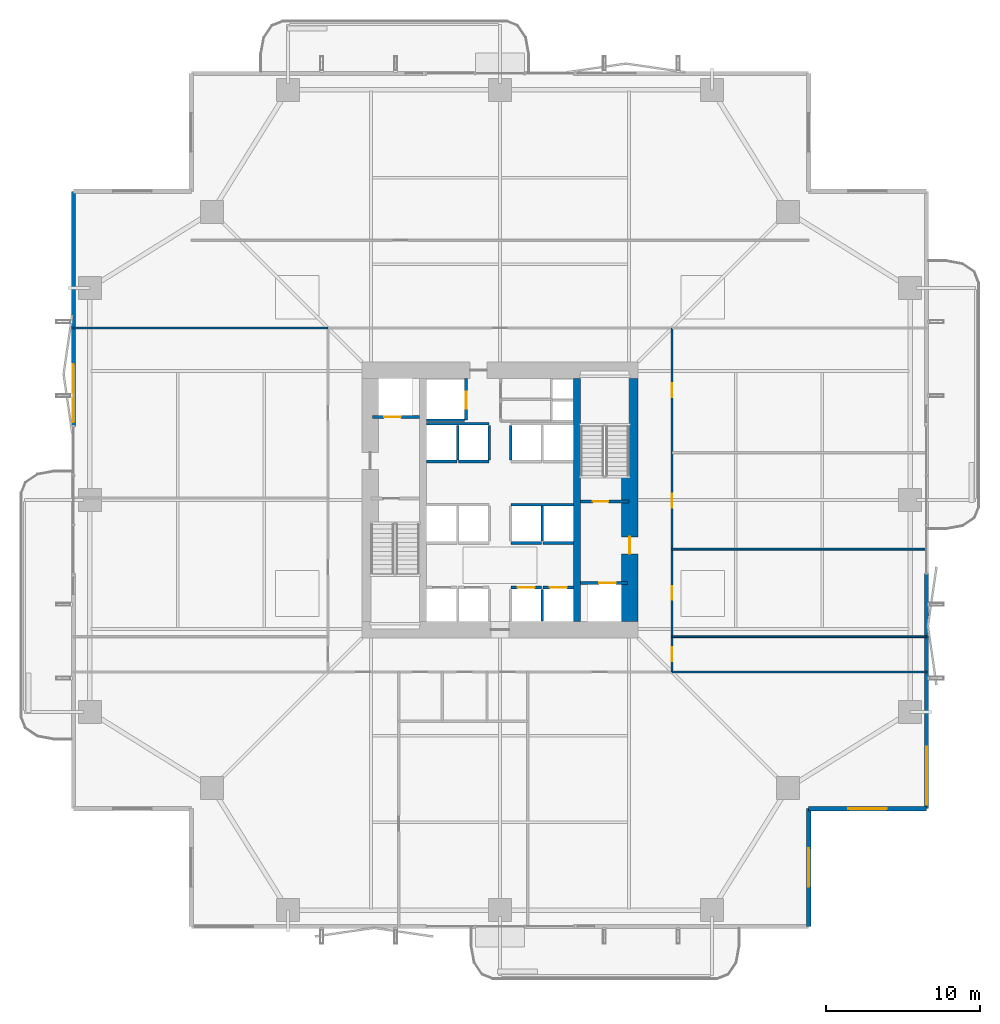
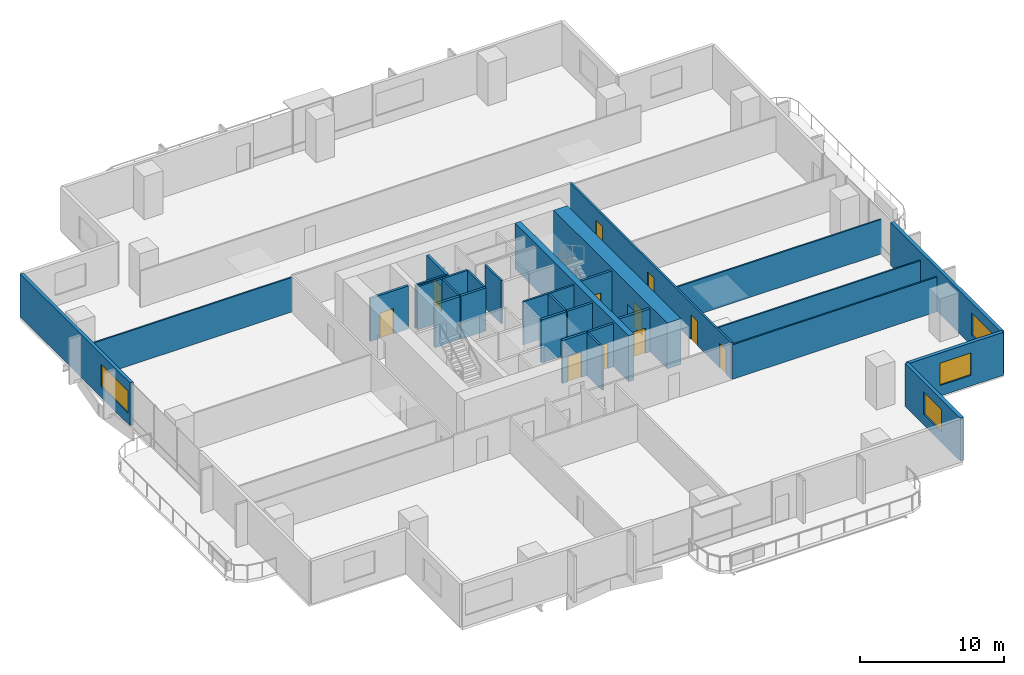
# One storey, part 18 of 24: 29 walls, 11 doors, 4 windows, 15 openings.
"""IFC4 building model written with IfcOpenShell, lengths in metres."""

from ifc_helpers import new_model, si_unit, direction, frame, frame_2d, origin, place, context, subcontext, project, spatial, rectangle, extrude, material, layer, layer_set, type_object, element, fill, save


model = new_model("IFC4")

# Units and contexts
model_context = context("Model", 3, precision=1e-05, world=origin(), true_north=direction((0.0, 1.0)))
body_context = subcontext(model_context, "Body", "Model", "MODEL_VIEW")
ifc_project = project(units=[si_unit("LENGTHUNIT", "METRE"), si_unit("AREAUNIT", "SQUARE_METRE"), si_unit("VOLUMEUNIT", "CUBIC_METRE"), si_unit("PLANEANGLEUNIT", "RADIAN"), si_unit("MASSUNIT", "GRAM", prefix="KILO")], contexts=[model_context])

# Site, building, storey
site_placement = place(None, origin())
site = spatial("IfcSite", under=ifc_project, at=site_placement, CompositionType="ELEMENT")
building_placement = place(site_placement, origin())
building = spatial("IfcBuilding", under=site, at=building_placement, Name="Belovzor Exchange Tower", CompositionType="ELEMENT")
storey_placement = place(building_placement, frame((0.0, 0.0, 92.39990234375)))
storey = spatial("IfcBuildingStorey", under=building, at=storey_placement, Name="L22", CompositionType="ELEMENT", Elevation=92.39990234375)

# Walls
ifc_material_1 = material(Name="Acoustic Plasterboard on Galvanised Studs", Category="gypsum")
ifc_layer_1 = layer(ifc_material_1, 0.1201171875)
ifc_layer_set_1 = layer_set([ifc_layer_1], Name="Acoustic Plasterboard on Galvanised Studs")
wall_type_1 = type_object("IfcWallType", Name="Acoustic Double-Stud Partition Wall 120", PredefinedType="PARTITIONING", material=ifc_layer_set_1)
for number, where, z_axis, x_axis, name in (
    (1, (40.0, 17.60009765625, 0.0), (0.0, 0.0, 1.0), (1.0, 0.0, 0.0), "W-P120 Partition Wall W-L22-END-SE"),
    (2, (1.030029296875, 40.0, 0.0), (0.0, 0.0, 1.0), (1.0, 0.0, 0.0), "W-P120 Partition Wall W-L22-END-NW"),
    (3, (40.0, 19.89990234375, 0.0), (0.0, 0.0, 1.0), (1.0, 0.0, 0.0), "W-P120 Partition Wall W-L22-EDIV-1"),
    (4, (40.0, 25.59912109375, 0.0), (0.0, 0.0, 1.0), (1.0, 0.0, 0.0), "W-P120 Partition Wall W-L22-EDIV-2"),
):
    element("IfcWall", number, at=place(storey_placement, frame(where, z_axis=z_axis, x_axis=x_axis)), inside=storey, type_object=wall_type_1, Name=name, PredefinedType="PARTITIONING", context=body_context, shape_type="SweptSolid", body=[
        extrude(rectangle(XDim=16.570068359375, YDim=0.1201171875, at=frame_2d((8.28515625, 0.0))), origin(), (0.0, 0.0, 1.0), 2.93505859375),
    ])

# Wall, openings, doors
ifc_material_2 = material(Name="Fire-Rated Gypsum Block and Mineral Wool", Category="gypsum")
ifc_layer_2 = layer(ifc_material_2, 0.14990234375)
ifc_layer_set_2 = layer_set([ifc_layer_2], Name="Fire-Rated Gypsum Block and Mineral Wool")
wall_type_2 = type_object("IfcWallType", Name="Fire-Rated Gypsum Block Corridor Wall 150", PredefinedType="PARTITIONING", material=ifc_layer_set_2)
wall_1_placement = place(storey_placement, frame((40.0, 17.60009765625, 0.0), z_axis=(0.0, 0.0, 1.0), x_axis=(0.0, 1.0, 0.0)))
wall_1 = element("IfcWall", 5, at=wall_1_placement, inside=storey, type_object=wall_type_2, Name="W-P150 Partition Wall W-L22-CE", PredefinedType="PARTITIONING", context=body_context, shape_type="SweptSolid", body=[
    extrude(rectangle(XDim=22.39990234375, YDim=0.14990234375, at=frame_2d((11.199951171875, 0.0))), origin(), (0.0, 0.0, 1.0), 3.085205078125),
])
opening_1_placement = place(wall_1_placement, frame((0.699951171875, 0.0, 0.0)))
opening_1 = element("IfcOpeningElement", 6, at=opening_1_placement, cuts=wall_1, Name="Opening D-INT-090", PredefinedType="OPENING", context=body_context, shape_type="SweptSolid", body=[
    extrude(rectangle(XDim=0.89990234375, YDim=2.10009765625, at=frame_2d((0.449951171875, 1.050048828125))), frame((0.0, 0.0849609375, 0.0), z_axis=(0.0, -1.0, 0.0), x_axis=(1.0, 0.0, 0.0)), (0.0, 0.0, 1.0), 0.169921875),
])
opening_2_placement = place(wall_1_placement, frame((4.698974609375, 0.0, 0.0)))
opening_2 = element("IfcOpeningElement", 7, at=opening_2_placement, cuts=wall_1, Name="Opening D-INT-090", PredefinedType="OPENING", context=body_context, shape_type="SweptSolid", body=[
    extrude(rectangle(XDim=0.89990234375, YDim=2.10009765625, at=frame_2d((0.449951171875, 1.050048828125))), frame((0.0, 0.0849609375, 0.0), z_axis=(0.0, -1.0, 0.0), x_axis=(1.0, 0.0, 0.0)), (0.0, 0.0, 1.0), 0.169921875),
])
opening_3_placement = place(wall_1_placement, frame((10.69189453125, 0.0, 0.0)))
opening_3 = element("IfcOpeningElement", 8, at=opening_3_placement, cuts=wall_1, Name="Opening D-INT-090", PredefinedType="OPENING", context=body_context, shape_type="SweptSolid", body=[
    extrude(rectangle(XDim=0.89990234375, YDim=2.10009765625, at=frame_2d((0.449951171875, 1.050048828125))), frame((0.0, 0.0849609375, 0.0), z_axis=(0.0, -1.0, 0.0), x_axis=(1.0, 0.0, 0.0)), (0.0, 0.0, 1.0), 0.169921875),
])
opening_4_placement = place(wall_1_placement, frame((17.89208984375, 0.0, 0.0)))
opening_4 = element("IfcOpeningElement", 9, at=opening_4_placement, cuts=wall_1, Name="Opening D-INT-090", PredefinedType="OPENING", context=body_context, shape_type="SweptSolid", body=[
    extrude(rectangle(XDim=0.89990234375, YDim=2.10009765625, at=frame_2d((0.449951171875, 1.050048828125))), frame((0.0, 0.0849609375, 0.0), z_axis=(0.0, -1.0, 0.0), x_axis=(1.0, 0.0, 0.0)), (0.0, 0.0, 1.0), 0.169921875),
])
ifc_material_3 = material(Name="Veneered Hardwood Acoustic Leaf", Category="wood")
door_type_1 = type_object("IfcDoorType", Name="Trading Suite Acoustic Single Door 900x2100", OperationType="NOTDEFINED", PredefinedType="DOOR", material=ifc_material_3)
door_1_placement = place(opening_1_placement, origin())
door_1 = element("IfcDoor", 10, at=door_1_placement, inside=storey, type_object=door_type_1, Name="D-INT-090 Trading Suite Acoustic Single Door 900x2100", OperationType="SINGLE_SWING_RIGHT", OverallHeight=2.10009765625, OverallWidth=0.89990234375, PredefinedType="DOOR", context=body_context, shape_type="SweptSolid", body=[
    extrude(rectangle(XDim=0.89990234375, YDim=2.10009765625, at=frame_2d((0.449951171875, 1.050048828125))), frame((0.0, 0.02490234375, 0.0), z_axis=(0.0, -1.0, 0.0), x_axis=(1.0, 0.0, 0.0)), (0.0, 0.0, 1.0), 0.050048828125),
])
fill(opening_1, door_1)
door_2_placement = place(opening_2_placement, origin())
door_2 = element("IfcDoor", 11, at=door_2_placement, inside=storey, type_object=door_type_1, Name="D-INT-090 Trading Suite Acoustic Single Door 900x2100", OperationType="SINGLE_SWING_LEFT", OverallHeight=2.10009765625, OverallWidth=0.89990234375, PredefinedType="DOOR", context=body_context, shape_type="SweptSolid", body=[
    extrude(rectangle(XDim=0.89990234375, YDim=2.10009765625, at=frame_2d((0.449951171875, 1.050048828125))), frame((0.0, 0.02490234375, 0.0), z_axis=(0.0, -1.0, 0.0), x_axis=(1.0, 0.0, 0.0)), (0.0, 0.0, 1.0), 0.050048828125),
])
fill(opening_2, door_2)
door_3_placement = place(opening_3_placement, origin())
door_3 = element("IfcDoor", 12, at=door_3_placement, inside=storey, type_object=door_type_1, Name="D-INT-090 Trading Suite Acoustic Single Door 900x2100", OperationType="SINGLE_SWING_RIGHT", OverallHeight=2.10009765625, OverallWidth=0.89990234375, PredefinedType="DOOR", context=body_context, shape_type="SweptSolid", body=[
    extrude(rectangle(XDim=0.89990234375, YDim=2.10009765625, at=frame_2d((0.449951171875, 1.050048828125))), frame((0.0, 0.02490234375, 0.0), z_axis=(0.0, -1.0, 0.0), x_axis=(1.0, 0.0, 0.0)), (0.0, 0.0, 1.0), 0.050048828125),
])
fill(opening_3, door_3)
door_4_placement = place(opening_4_placement, origin())
door_4 = element("IfcDoor", 13, at=door_4_placement, inside=storey, type_object=door_type_1, Name="D-INT-090 Trading Suite Acoustic Single Door 900x2100", OperationType="SINGLE_SWING_LEFT", OverallHeight=2.10009765625, OverallWidth=0.89990234375, PredefinedType="DOOR", context=body_context, shape_type="SweptSolid", body=[
    extrude(rectangle(XDim=0.89990234375, YDim=2.10009765625, at=frame_2d((0.449951171875, 1.050048828125))), frame((0.0, 0.02490234375, 0.0), z_axis=(0.0, -1.0, 0.0), x_axis=(1.0, 0.0, 0.0)), (0.0, 0.0, 1.0), 0.050048828125),
])
fill(opening_4, door_4)

# Wall, opening, window
ifc_material_4 = material(Name="Precast concrete C40/50", Category="concrete")
ifc_layer_3 = layer(ifc_material_4, 0.280029296875)
ifc_layer_set_3 = layer_set([ifc_layer_3], Name="Precast concrete C40/50")
wall_type_3 = type_object("IfcWallType", Name="Precast Concrete Notched Corner Frame Wall 280", PredefinedType="SOLIDWALL", material=ifc_layer_set_3)
wall_2_placement = place(storey_placement, frame((56.570068359375, 8.699951171875, 0.0), z_axis=(0.0, 0.0, 1.0), x_axis=(-1.0, 0.0, 0.0)))
wall_2 = element("IfcWall", 14, at=wall_2_placement, inside=storey, type_object=wall_type_3, Name="W-CRN280 Precast Concrete Notched Corner Frame Wall 280 L22", PredefinedType="SOLIDWALL", context=body_context, shape_type="SweptSolid", body=[
    extrude(rectangle(XDim=7.670166015625, YDim=0.280029296875, at=frame_2d((3.8349609375, 0.0))), origin(), (0.0, 0.0, 1.0), 3.650146484375),
])
opening_5_placement = place(wall_2_placement, frame((2.5849609375, 0.0, 0.89990234375)))
opening_5 = element("IfcOpeningElement", 15, at=opening_5_placement, cuts=wall_2, Name="Opening WN-CRN250", PredefinedType="OPENING", context=body_context, shape_type="SweptSolid", body=[
    extrude(rectangle(XDim=2.5, YDim=1.89990234375, at=frame_2d((1.25, 0.949951171875))), frame((0.0, 0.14990234375, 0.0), z_axis=(0.0, -1.0, 0.0), x_axis=(1.0, 0.0, 0.0)), (0.0, 0.0, 1.0), 0.300048828125),
])
ifc_material_5 = material(Name="Thermally Broken Aluminium and Triple Glazing", Category="aluminium")
window_type_1 = type_object("IfcWindowType", Name="Streamline Moderne Corner Wrap Ribbon Window 2500x1900", PartitioningType="SINGLE_PANEL", PredefinedType="WINDOW", material=ifc_material_5)
window_1_placement = place(opening_5_placement, origin())
window_1 = element("IfcWindow", 16, at=window_1_placement, inside=storey, type_object=window_type_1, Name="WN-CRN250 Streamline Moderne Corner Wrap Ribbon Window 2500x1900", OverallHeight=1.89990234375, OverallWidth=2.5, PartitioningType="SINGLE_PANEL", PredefinedType="WINDOW", context=body_context, shape_type="SweptSolid", body=[
    extrude(rectangle(XDim=2.5, YDim=1.89990234375, at=frame_2d((1.25, 0.949951171875))), frame((0.0, 0.030029296875, 0.0), z_axis=(0.0, -1.0, 0.0), x_axis=(1.0, 0.0, 0.0)), (0.0, 0.0, 1.0), 0.06005859375),
])
fill(opening_5, window_1)

wall_3_placement = place(storey_placement, frame((48.89990234375, 8.699951171875, 0.0), z_axis=(0.0, 0.0, 1.0), x_axis=(0.0, -1.0, 0.0)))
wall_3 = element("IfcWall", 17, at=wall_3_placement, inside=storey, type_object=wall_type_3, Name="W-CRN280 Precast Concrete Notched Corner Frame Wall 280 L22", PredefinedType="SOLIDWALL", context=body_context, shape_type="SweptSolid", body=[
    extrude(rectangle(XDim=7.669921875, YDim=0.280029296875, at=frame_2d((3.8349609375, 0.0))), origin(), (0.0, 0.0, 1.0), 3.650146484375),
])
opening_6_placement = place(wall_3_placement, frame((2.5849609375, 0.0, 0.89990234375)))
opening_6 = element("IfcOpeningElement", 18, at=opening_6_placement, cuts=wall_3, Name="Opening WN-CRN250", PredefinedType="OPENING", context=body_context, shape_type="SweptSolid", body=[
    extrude(rectangle(XDim=2.5, YDim=1.89990234375, at=frame_2d((1.25, 0.949951171875))), frame((0.0, 0.14990234375, 0.0), z_axis=(0.0, -1.0, 0.0), x_axis=(1.0, 0.0, 0.0)), (0.0, 0.0, 1.0), 0.300048828125),
])
window_2_placement = place(opening_6_placement, origin())
window_2 = element("IfcWindow", 19, at=window_2_placement, inside=storey, type_object=window_type_1, Name="WN-CRN250 Streamline Moderne Corner Wrap Ribbon Window 2500x1900", OverallHeight=1.89990234375, OverallWidth=2.5, PartitioningType="SINGLE_PANEL", PredefinedType="WINDOW", context=body_context, shape_type="SweptSolid", body=[
    extrude(rectangle(XDim=2.5, YDim=1.89990234375, at=frame_2d((1.25, 0.949951171875))), frame((0.0, 0.030029296875, 0.0), z_axis=(0.0, -1.0, 0.0), x_axis=(1.0, 0.0, 0.0)), (0.0, 0.0, 1.0), 0.06005859375),
])
fill(opening_6, window_2)

ifc_material_6 = material(Name="Precast concrete C40/50", Category="concrete")
ifc_layer_4 = layer(ifc_material_6, 0.260009765625)
ifc_layer_set_4 = layer_set([ifc_layer_4], Name="Precast concrete C40/50")
wall_type_4 = type_object("IfcWallType", Name="Precast Concrete Perimeter Loggia Frame Wall 260", PredefinedType="SOLIDWALL", material=ifc_layer_set_4)
wall_4_placement = place(storey_placement, frame((1.030029296875, 33.60009765625, 0.0), z_axis=(0.0, 0.0, 1.0), x_axis=(0.0, 1.0, 0.0)))
wall_4 = element("IfcWall", 20, at=wall_4_placement, inside=storey, type_object=wall_type_4, Name="W-EXT260 Precast Concrete Perimeter Loggia Frame Wall 260 L22", PredefinedType="SOLIDWALL", context=body_context, shape_type="SweptSolid", body=[
    extrude(rectangle(XDim=15.2998046875, YDim=0.260009765625, at=frame_2d((7.64990234375, 0.0))), origin(), (0.0, 0.0, 1.0), 3.650146484375),
])
opening_7_placement = place(wall_4_placement, frame((0.25, 0.0, 0.89990234375)))
opening_7 = element("IfcOpeningElement", 21, at=opening_7_placement, cuts=wall_4, Name="Opening WN-RIB380", PredefinedType="OPENING", context=body_context, shape_type="SweptSolid", body=[
    extrude(rectangle(XDim=3.800048828125, YDim=1.89990234375, at=frame_2d((1.89990234375, 0.949951171875))), frame((0.0, 0.139892578125, 0.0), z_axis=(0.0, -1.0, 0.0), x_axis=(1.0, 0.0, 0.0)), (0.0, 0.0, 1.0), 0.280029296875),
])
ifc_material_7 = material(Name="Thermally Broken Aluminium and Triple Glazing", Category="aluminium")
window_type_2 = type_object("IfcWindowType", Name="Streamline Moderne Horizontal Ribbon Window 3800x1900", PartitioningType="SINGLE_PANEL", PredefinedType="WINDOW", material=ifc_material_7)
window_3_placement = place(opening_7_placement, origin())
window_3 = element("IfcWindow", 22, at=window_3_placement, inside=storey, type_object=window_type_2, Name="WN-RIB380 Streamline Moderne Horizontal Ribbon Window 3800x1900", OverallHeight=1.89990234375, OverallWidth=3.800048828125, PartitioningType="SINGLE_PANEL", PredefinedType="WINDOW", context=body_context, shape_type="SweptSolid", body=[
    extrude(rectangle(XDim=3.800048828125, YDim=1.89990234375, at=frame_2d((1.89990234375, 0.949951171875))), frame((0.0, 0.030029296875, 0.0), z_axis=(0.0, -1.0, 0.0), x_axis=(1.0, 0.0, 0.0)), (0.0, 0.0, 1.0), 0.06005859375),
])
fill(opening_7, window_3)

wall_5_placement = place(storey_placement, frame((56.570068359375, 24.0, 0.0), z_axis=(0.0, 0.0, 1.0), x_axis=(0.0, -1.0, 0.0)))
wall_5 = element("IfcWall", 23, at=wall_5_placement, inside=storey, type_object=wall_type_4, Name="W-EXT260 Precast Concrete Perimeter Loggia Frame Wall 260 L22", PredefinedType="SOLIDWALL", context=body_context, shape_type="SweptSolid", body=[
    extrude(rectangle(XDim=15.300048828125, YDim=0.260009765625, at=frame_2d((7.64990234375, 0.0))), origin(), (0.0, 0.0, 1.0), 3.650146484375),
])
opening_8_placement = place(wall_5_placement, frame((11.25, 0.0, 0.89990234375)))
opening_8 = element("IfcOpeningElement", 24, at=opening_8_placement, cuts=wall_5, Name="Opening WN-RIB380", PredefinedType="OPENING", context=body_context, shape_type="SweptSolid", body=[
    extrude(rectangle(XDim=3.800048828125, YDim=1.89990234375, at=frame_2d((1.89990234375, 0.949951171875))), frame((0.0, 0.139892578125, 0.0), z_axis=(0.0, -1.0, 0.0), x_axis=(1.0, 0.0, 0.0)), (0.0, 0.0, 1.0), 0.280029296875),
])
window_4_placement = place(opening_8_placement, origin())
window_4 = element("IfcWindow", 25, at=window_4_placement, inside=storey, type_object=window_type_2, Name="WN-RIB380 Streamline Moderne Horizontal Ribbon Window 3800x1900", OverallHeight=1.89990234375, OverallWidth=3.800048828125, PartitioningType="SINGLE_PANEL", PredefinedType="WINDOW", context=body_context, shape_type="SweptSolid", body=[
    extrude(rectangle(XDim=3.800048828125, YDim=1.89990234375, at=frame_2d((1.89990234375, 0.949951171875))), frame((0.0, 0.030029296875, 0.0), z_axis=(0.0, -1.0, 0.0), x_axis=(1.0, 0.0, 0.0)), (0.0, 0.0, 1.0), 0.06005859375),
])
fill(opening_8, window_4)

# Walls
ifc_material_8 = material(Name="Concrete C50/60", Category="concrete")
ifc_layer_5 = layer(ifc_material_8, 0.449951171875)
ifc_layer_set_5 = layer_set([ifc_layer_5], Name="Concrete C50/60")
wall_type_5 = type_object("IfcWallType", Name="Reinforced Concrete Core Internal Web Wall 450", PredefinedType="SHEAR", material=ifc_layer_set_5)
wall_6_placement = place(storey_placement, frame((33.824951171875, 20.89990234375, 0.0), z_axis=(0.0, 0.0, 1.0), x_axis=(0.0, 1.0, 0.0)))
element("IfcWall", 26, at=wall_6_placement, inside=storey, type_object=wall_type_5, Name="CW-W045 Core Internal Web Wall L22 ER", PredefinedType="SHEAR", context=body_context, shape_type="SweptSolid", body=[
    extrude(rectangle(XDim=15.800048828125, YDim=0.449951171875, at=frame_2d((7.89990234375, 0.0))), origin(), (0.0, 0.0, 1.0), 3.900146484375),
])
ifc_material_9 = material(Name="Concrete C50/60", Category="concrete")
ifc_layer_6 = layer(ifc_material_9, 0.14990234375)
ifc_layer_set_6 = layer_set([ifc_layer_6], Name="Concrete C50/60")
wall_type_6 = type_object("IfcWallType", Name="Reinforced Concrete Core Riser Shear Wall 150", PredefinedType="SHEAR", material=ifc_layer_set_6)
wall_7_placement = place(storey_placement, frame((24.0, 34.0, 0.0), z_axis=(0.0, 0.0, 1.0), x_axis=(1.0, 0.0, 0.0)))
element("IfcWall", 27, at=wall_7_placement, inside=storey, type_object=wall_type_6, Name="W-C150S Core Shaft Wall W-SH-L22-SL-01S", PredefinedType="SHEAR", context=body_context, shape_type="SweptSolid", body=[
    extrude(rectangle(XDim=2.47998046875, YDim=0.14990234375, at=frame_2d((1.239990234375, 0.0))), origin(), (0.0, 0.0, 1.0), 3.650146484375),
])
wall_8_placement = place(storey_placement, frame((31.550048828125, 20.919921875, 0.0), z_axis=(0.0, 0.0, 1.0), x_axis=(0.0, 1.0, 0.0)))
element("IfcWall", 28, at=wall_8_placement, inside=storey, type_object=wall_type_6, Name="W-C150S Core Shaft Wall W-SHD-L22-PLL-4", PredefinedType="SHEAR", context=body_context, shape_type="SweptSolid", body=[
    extrude(rectangle(XDim=2.06005859375, YDim=0.14990234375, at=frame_2d((1.030029296875, 0.0))), origin(), (0.0, 0.0, 1.0), 3.650146484375),
])
wall_9_placement = place(storey_placement, frame((29.5, 28.5, 0.0), z_axis=(0.0, 0.0, 1.0), x_axis=(1.0, 0.0, 0.0)))
element("IfcWall", 29, at=wall_9_placement, inside=storey, type_object=wall_type_6, Name="W-C150S Core Shaft Wall W-SHB-L22-PLM-NE", PredefinedType="SHEAR", context=body_context, shape_type="SweptSolid", body=[
    extrude(rectangle(XDim=4.080078125, YDim=0.14990234375, at=frame_2d((2.0400390625, 0.0))), origin(), (0.0, 0.0, 1.0), 3.650146484375),
])
wall_10_placement = place(storey_placement, frame((31.550048828125, 26.1201171875, 0.0), z_axis=(0.0, 0.0, 1.0), x_axis=(0.0, 1.0, 0.0)))
element("IfcWall", 30, at=wall_10_placement, inside=storey, type_object=wall_type_6, Name="W-C150S Core Shaft Wall W-SHD-L22-PLM-4", PredefinedType="SHEAR", context=body_context, shape_type="SweptSolid", body=[
    extrude(rectangle(XDim=2.27978515625, YDim=0.14990234375, at=frame_2d((1.139892578125, 0.0))), origin(), (0.0, 0.0, 1.0), 3.650146484375),
])
wall_11_placement = place(storey_placement, frame((24.02001953125, 33.760009765625, 0.0), z_axis=(0.0, 0.0, 1.0), x_axis=(1.0, 0.0, 0.0)))
element("IfcWall", 31, at=wall_11_placement, inside=storey, type_object=wall_type_6, Name="W-C150S Core Shaft Wall W-SHB-L22-PLH-NW", PredefinedType="SHEAR", context=body_context, shape_type="SweptSolid", body=[
    extrude(rectangle(XDim=4.080078125, YDim=0.14990234375, at=frame_2d((2.0400390625, 0.0))), origin(), (0.0, 0.0, 1.0), 3.650146484375),
])
for number, where, z_axis, x_axis, name in (
    (32, (26.050048828125, 31.419921875, 0.0), (0.0, 0.0, 1.0), (0.0, 1.0, 0.0), "W-C150S Core Shaft Wall W-SHD-L22-PLH-1"),
    (33, (28.10009765625, 31.419921875, 0.0), (0.0, 0.0, 1.0), (0.0, 1.0, 0.0), "W-C150S Core Shaft Wall W-SHD-L22-PLH-2"),
    (34, (29.5, 31.419921875, 0.0), (0.0, 0.0, 1.0), (0.0, 1.0, 0.0), "W-C150S Core Shaft Wall W-SHD-L22-PLH-3"),
):
    element("IfcWall", number, at=place(storey_placement, frame(where, z_axis=z_axis, x_axis=x_axis)), inside=storey, type_object=wall_type_6, Name=name, PredefinedType="SHEAR", context=body_context, shape_type="SweptSolid", body=[
        extrude(rectangle(XDim=2.239990234375, YDim=0.14990234375, at=frame_2d((1.1201171875, 0.0))), origin(), (0.0, 0.0, 1.0), 3.650146484375),
    ])

# Wall, opening, door
ifc_material_10 = material(Name="Concrete C50/60", Category="concrete")
ifc_layer_7 = layer(ifc_material_10, 0.199951171875)
ifc_layer_set_7 = layer_set([ifc_layer_7], Name="Concrete C50/60")
wall_type_7 = type_object("IfcWallType", Name="Reinforced Concrete Core Shaft Shear Wall 200", PredefinedType="SHEAR", material=ifc_layer_set_7)
wall_12_placement = place(storey_placement, frame((34.050048828125, 28.699951171875, 0.0), z_axis=(0.0, 0.0, 1.0), x_axis=(1.0, 0.0, 0.0)))
wall_12 = element("IfcWall", 35, at=wall_12_placement, inside=storey, type_object=wall_type_7, Name="W-C200S Core Shaft Wall W-CORE-L22-FFLE2", PredefinedType="SHEAR", context=body_context, shape_type="SweptSolid", body=[
    extrude(rectangle(XDim=3.14990234375, YDim=0.199951171875, at=frame_2d((1.574951171875, 0.0))), origin(), (0.0, 0.0, 1.0), 3.650146484375),
])
opening_9_placement = place(wall_12_placement, frame((0.800048828125, 0.0, 0.0)))
opening_9 = element("IfcOpeningElement", 36, at=opening_9_placement, cuts=wall_12, Name="Opening D-FD90-100", PredefinedType="OPENING", context=body_context, shape_type="SweptSolid", body=[
    extrude(rectangle(XDim=1.0, YDim=2.10009765625, at=frame_2d((0.5, 1.050048828125))), frame((0.0, 0.10986328125, 0.0), z_axis=(0.0, -1.0, 0.0), x_axis=(1.0, 0.0, 0.0)), (0.0, 0.0, 1.0), 0.219970703125),
])
ifc_material_11 = material(Name="Fire-Rated Galvanised Steel Leaf", Category="steel")
door_type_2 = type_object("IfcDoorType", Name="Protected Stairwell Single Fire Door 1000x2100", OperationType="NOTDEFINED", PredefinedType="DOOR", material=ifc_material_11)
door_5_placement = place(opening_9_placement, origin())
door_5 = element("IfcDoor", 37, at=door_5_placement, inside=storey, type_object=door_type_2, Name="D-FD90-100 Protected Stairwell Single Fire Door 1000x2100", OperationType="SINGLE_SWING_LEFT", OverallHeight=2.10009765625, OverallWidth=1.0, PredefinedType="DOOR", context=body_context, shape_type="SweptSolid", body=[
    extrude(rectangle(XDim=1.0, YDim=2.10009765625, at=frame_2d((0.5, 1.050048828125))), frame((0.0, 0.02490234375, 0.0), z_axis=(0.0, -1.0, 0.0), x_axis=(1.0, 0.0, 0.0)), (0.0, 0.0, 1.0), 0.050048828125),
])
fill(opening_9, door_5)

wall_13_placement = place(storey_placement, frame((20.5, 34.199951171875, 0.0), z_axis=(0.0, 0.0, 1.0), x_axis=(1.0, 0.0, 0.0)))
wall_13 = element("IfcWall", 38, at=wall_13_placement, inside=storey, type_object=wall_type_7, Name="W-C200S Core Shaft Wall W-SH-L22-FFL-01", PredefinedType="SHEAR", context=body_context, shape_type="SweptSolid", body=[
    extrude(rectangle(XDim=3.050048828125, YDim=0.199951171875, at=frame_2d((1.52490234375, 0.0))), origin(), (0.0, 0.0, 1.0), 3.650146484375),
])
opening_10_placement = place(wall_13_placement, frame((0.75, 0.0, 0.0)))
opening_10 = element("IfcOpeningElement", 39, at=opening_10_placement, cuts=wall_13, Name="Opening LD-110", PredefinedType="OPENING", context=body_context, shape_type="SweptSolid", body=[
    extrude(rectangle(XDim=1.10009765625, YDim=2.14990234375, at=frame_2d((0.550048828125, 1.074951171875))), frame((0.0, 0.10986328125, 0.0), z_axis=(0.0, -1.0, 0.0), x_axis=(1.0, 0.0, 0.0)), (0.0, 0.0, 1.0), 0.219970703125),
])
ifc_material_12 = material(Name="Stainless Steel Grade 304", Category="steel")
door_type_3 = type_object("IfcDoorType", Name="Automated Stainless Steel Lift Landing Door 1100x2150", OperationType="SLIDING_TO_RIGHT", PredefinedType="DOOR", material=ifc_material_12)
door_6_placement = place(opening_10_placement, origin())
door_6 = element("IfcDoor", 40, at=door_6_placement, inside=storey, type_object=door_type_3, Name="LD-110 Automated Stainless Steel Lift Landing Door 1100x2150", OperationType="SLIDING_TO_RIGHT", OverallHeight=2.14990234375, OverallWidth=1.10009765625, PredefinedType="DOOR", context=body_context, shape_type="SweptSolid", body=[
    extrude(rectangle(XDim=1.10009765625, YDim=2.14990234375, at=frame_2d((0.550048828125, 1.074951171875))), frame((0.0, 0.02490234375, 0.0), z_axis=(0.0, -1.0, 0.0), x_axis=(1.0, 0.0, 0.0)), (0.0, 0.0, 1.0), 0.050048828125),
])
fill(opening_10, door_6)

wall_14_placement = place(storey_placement, frame((34.050048828125, 23.39990234375, 0.0), z_axis=(0.0, 0.0, 1.0), x_axis=(1.0, 0.0, 0.0)))
wall_14 = element("IfcWall", 41, at=wall_14_placement, inside=storey, type_object=wall_type_7, Name="W-C200S Core Shaft Wall W-SH-L22-FFL-02", PredefinedType="SHEAR", context=body_context, shape_type="SweptSolid", body=[
    extrude(rectangle(XDim=3.050048828125, YDim=0.199951171875, at=frame_2d((1.52490234375, 0.0))), origin(), (0.0, 0.0, 1.0), 3.650146484375),
])
opening_11_placement = place(wall_14_placement, frame((1.199951171875, 0.0, 0.0)))
opening_11 = element("IfcOpeningElement", 42, at=opening_11_placement, cuts=wall_14, Name="Opening LD-110", PredefinedType="OPENING", context=body_context, shape_type="SweptSolid", body=[
    extrude(rectangle(XDim=1.10009765625, YDim=2.14990234375, at=frame_2d((0.550048828125, 1.074951171875))), frame((0.0, 0.10986328125, 0.0), z_axis=(0.0, -1.0, 0.0), x_axis=(1.0, 0.0, 0.0)), (0.0, 0.0, 1.0), 0.219970703125),
])
door_7_placement = place(opening_11_placement, origin())
door_7 = element("IfcDoor", 43, at=door_7_placement, inside=storey, type_object=door_type_3, Name="LD-110 Automated Stainless Steel Lift Landing Door 1100x2150", OperationType="SLIDING_TO_RIGHT", OverallHeight=2.14990234375, OverallWidth=1.10009765625, PredefinedType="DOOR", context=body_context, shape_type="SweptSolid", body=[
    extrude(rectangle(XDim=1.10009765625, YDim=2.14990234375, at=frame_2d((0.550048828125, 1.074951171875))), frame((0.0, 0.02490234375, 0.0), z_axis=(0.0, -1.0, 0.0), x_axis=(1.0, 0.0, 0.0)), (0.0, 0.0, 1.0), 0.050048828125),
])
fill(opening_11, door_7)

wall_15_placement = place(storey_placement, frame((26.60009765625, 34.0, 0.0), z_axis=(0.0, 0.0, 1.0), x_axis=(0.0, 1.0, 0.0)))
wall_15 = element("IfcWall", 44, at=wall_15_placement, inside=storey, type_object=wall_type_7, Name="W-C200S Core Shaft Wall W-SH-L22-SL-01", PredefinedType="SHEAR", context=body_context, shape_type="SweptSolid", body=[
    extrude(rectangle(XDim=2.699951171875, YDim=0.199951171875, at=frame_2d((1.35009765625, 0.0))), origin(), (0.0, 0.0, 1.0), 3.650146484375),
])
opening_12_placement = place(wall_15_placement, frame((0.75, 0.0, 0.0)))
opening_12 = element("IfcOpeningElement", 45, at=opening_12_placement, cuts=wall_15, Name="Opening LD-110", PredefinedType="OPENING", context=body_context, shape_type="SweptSolid", body=[
    extrude(rectangle(XDim=1.10009765625, YDim=2.14990234375, at=frame_2d((0.550048828125, 1.074951171875))), frame((0.0, 0.10986328125, 0.0), z_axis=(0.0, -1.0, 0.0), x_axis=(1.0, 0.0, 0.0)), (0.0, 0.0, 1.0), 0.219970703125),
])
door_8_placement = place(opening_12_placement, origin())
door_8 = element("IfcDoor", 46, at=door_8_placement, inside=storey, type_object=door_type_3, Name="LD-110 Automated Stainless Steel Lift Landing Door 1100x2150", OperationType="SLIDING_TO_RIGHT", OverallHeight=2.14990234375, OverallWidth=1.10009765625, PredefinedType="DOOR", context=body_context, shape_type="SweptSolid", body=[
    extrude(rectangle(XDim=1.10009765625, YDim=2.14990234375, at=frame_2d((0.550048828125, 1.074951171875))), frame((0.0, 0.02490234375, 0.0), z_axis=(0.0, -1.0, 0.0), x_axis=(1.0, 0.0, 0.0)), (0.0, 0.0, 1.0), 0.050048828125),
])
fill(opening_12, door_8)

wall_16_placement = place(storey_placement, frame((29.5, 23.10009765625, 0.0), z_axis=(0.0, 0.0, 1.0), x_axis=(1.0, 0.0, 0.0)))
wall_16 = element("IfcWall", 47, at=wall_16_placement, inside=storey, type_object=wall_type_7, Name="W-C200S Core Shaft Wall W-SH-L22-PL-L3", PredefinedType="SHEAR", context=body_context, shape_type="SweptSolid", body=[
    extrude(rectangle(XDim=2.0, YDim=0.199951171875, at=frame_2d((1.0, 0.0))), origin(), (0.0, 0.0, 1.0), 3.650146484375),
])
opening_13_placement = place(wall_16_placement, frame((0.449951171875, 0.0, 0.0)))
opening_13 = element("IfcOpeningElement", 48, at=opening_13_placement, cuts=wall_16, Name="Opening LD-110", PredefinedType="OPENING", context=body_context, shape_type="SweptSolid", body=[
    extrude(rectangle(XDim=1.10009765625, YDim=2.14990234375, at=frame_2d((0.550048828125, 1.074951171875))), frame((0.0, 0.10986328125, 0.0), z_axis=(0.0, -1.0, 0.0), x_axis=(1.0, 0.0, 0.0)), (0.0, 0.0, 1.0), 0.219970703125),
])
door_9_placement = place(opening_13_placement, origin())
door_9 = element("IfcDoor", 49, at=door_9_placement, inside=storey, type_object=door_type_3, Name="LD-110 Automated Stainless Steel Lift Landing Door 1100x2150", OperationType="SLIDING_TO_RIGHT", OverallHeight=2.14990234375, OverallWidth=1.10009765625, PredefinedType="DOOR", context=body_context, shape_type="SweptSolid", body=[
    extrude(rectangle(XDim=1.10009765625, YDim=2.14990234375, at=frame_2d((0.550048828125, 1.074951171875))), frame((0.0, 0.02490234375, 0.0), z_axis=(0.0, -1.0, 0.0), x_axis=(1.0, 0.0, 0.0)), (0.0, 0.0, 1.0), 0.050048828125),
])
fill(opening_13, door_9)

wall_17_placement = place(storey_placement, frame((31.60009765625, 23.10009765625, 0.0), z_axis=(0.0, 0.0, 1.0), x_axis=(1.0, 0.0, 0.0)))
wall_17 = element("IfcWall", 50, at=wall_17_placement, inside=storey, type_object=wall_type_7, Name="W-C200S Core Shaft Wall W-SH-L22-PL-L4", PredefinedType="SHEAR", context=body_context, shape_type="SweptSolid", body=[
    extrude(rectangle(XDim=2.0, YDim=0.199951171875, at=frame_2d((1.0, 0.0))), origin(), (0.0, 0.0, 1.0), 3.650146484375),
])
opening_14_placement = place(wall_17_placement, frame((0.449951171875, 0.0, 0.0)))
opening_14 = element("IfcOpeningElement", 51, at=opening_14_placement, cuts=wall_17, Name="Opening LD-110", PredefinedType="OPENING", context=body_context, shape_type="SweptSolid", body=[
    extrude(rectangle(XDim=1.10009765625, YDim=2.14990234375, at=frame_2d((0.550048828125, 1.074951171875))), frame((0.0, 0.10986328125, 0.0), z_axis=(0.0, -1.0, 0.0), x_axis=(1.0, 0.0, 0.0)), (0.0, 0.0, 1.0), 0.219970703125),
])
door_10_placement = place(opening_14_placement, origin())
door_10 = element("IfcDoor", 52, at=door_10_placement, inside=storey, type_object=door_type_3, Name="LD-110 Automated Stainless Steel Lift Landing Door 1100x2150", OperationType="SLIDING_TO_RIGHT", OverallHeight=2.14990234375, OverallWidth=1.10009765625, PredefinedType="DOOR", context=body_context, shape_type="SweptSolid", body=[
    extrude(rectangle(XDim=1.10009765625, YDim=2.14990234375, at=frame_2d((0.550048828125, 1.074951171875))), frame((0.0, 0.02490234375, 0.0), z_axis=(0.0, -1.0, 0.0), x_axis=(1.0, 0.0, 0.0)), (0.0, 0.0, 1.0), 0.050048828125),
])
fill(opening_14, door_10)

# Walls
for number, where, z_axis, x_axis, name in (
    (53, (29.5, 26.0, 0.0), (0.0, 0.0, 1.0), (1.0, 0.0, 0.0), "W-C200S Core Shaft Wall W-SH-L22-PL-M3"),
    (54, (31.60009765625, 26.0, 0.0), (0.0, 0.0, 1.0), (1.0, 0.0, 0.0), "W-C200S Core Shaft Wall W-SH-L22-PL-M4"),
    (55, (24.0, 31.300048828125, 0.0), (0.0, 0.0, 1.0), (1.0, 0.0, 0.0), "W-C200S Core Shaft Wall W-SH-L22-PL-H1"),
    (56, (26.10009765625, 31.300048828125, 0.0), (0.0, 0.0, 1.0), (1.0, 0.0, 0.0), "W-C200S Core Shaft Wall W-SH-L22-PL-H2"),
):
    element("IfcWall", number, at=place(storey_placement, frame(where, z_axis=z_axis, x_axis=x_axis)), inside=storey, type_object=wall_type_7, Name=name, PredefinedType="SHEAR", context=body_context, shape_type="SweptSolid", body=[
        extrude(rectangle(XDim=2.0, YDim=0.199951171875, at=frame_2d((1.0, 0.0))), origin(), (0.0, 0.0, 1.0), 3.650146484375),
    ])

# Wall, opening, door
ifc_material_13 = material(Name="Concrete C60/75", Category="concrete")
ifc_layer_8 = layer(ifc_material_13, 1.10009765625)
ifc_layer_set_8 = layer_set([ifc_layer_8], Name="Concrete C60/75")
wall_type_8 = type_object("IfcWallType", Name="Reinforced Concrete Core Shear Wall 1100", PredefinedType="SHEAR", material=ifc_layer_set_8)
wall_18_placement = place(storey_placement, frame((37.25, 20.89990234375, 0.0), z_axis=(0.0, 0.0, 1.0), x_axis=(0.0, 1.0, 0.0)))
wall_18 = element("IfcWall", 57, at=wall_18_placement, inside=storey, type_object=wall_type_8, Name="CW-S110 Core Shear Wall L22 E", PredefinedType="SHEAR", context=body_context, shape_type="SweptSolid", body=[
    extrude(rectangle(XDim=15.800048828125, YDim=1.10009765625, at=frame_2d((7.89990234375, 0.0))), origin(), (0.0, 0.0, 1.0), 3.900146484375),
])
opening_15_placement = place(wall_18_placement, frame((4.39990234375, 0.0, 0.0)))
opening_15 = element("IfcOpeningElement", 58, at=opening_15_placement, cuts=wall_18, Name="Opening D-FD90-110", PredefinedType="OPENING", context=body_context, shape_type="SweptSolid", body=[
    extrude(rectangle(XDim=1.10009765625, YDim=2.14990234375, at=frame_2d((0.550048828125, 1.074951171875))), frame((0.0, 0.56005859375, 0.0), z_axis=(0.0, -1.0, 0.0), x_axis=(1.0, 0.0, 0.0)), (0.0, 0.0, 1.0), 1.1201171875),
])
ifc_material_14 = material(Name="Fire-Rated Galvanised Steel Leaf", Category="steel")
door_type_4 = type_object("IfcDoorType", Name="Protected Escape Vestibule Fire Door 1100x2150", OperationType="NOTDEFINED", PredefinedType="DOOR", material=ifc_material_14)
door_11_placement = place(opening_15_placement, origin())
door_11 = element("IfcDoor", 59, at=door_11_placement, inside=storey, type_object=door_type_4, Name="D-FD90-110 Protected Escape Vestibule Fire Door 1100x2150", OperationType="SINGLE_SWING_RIGHT", OverallHeight=2.14990234375, OverallWidth=1.10009765625, PredefinedType="DOOR", context=body_context, shape_type="SweptSolid", body=[
    extrude(rectangle(XDim=1.10009765625, YDim=2.14990234375, at=frame_2d((0.550048828125, 1.074951171875))), frame((0.0, 0.02490234375, 0.0), z_axis=(0.0, -1.0, 0.0), x_axis=(1.0, 0.0, 0.0)), (0.0, 0.0, 1.0), 0.050048828125),
])
fill(opening_15, door_11)

save(model, "model.ifc")
